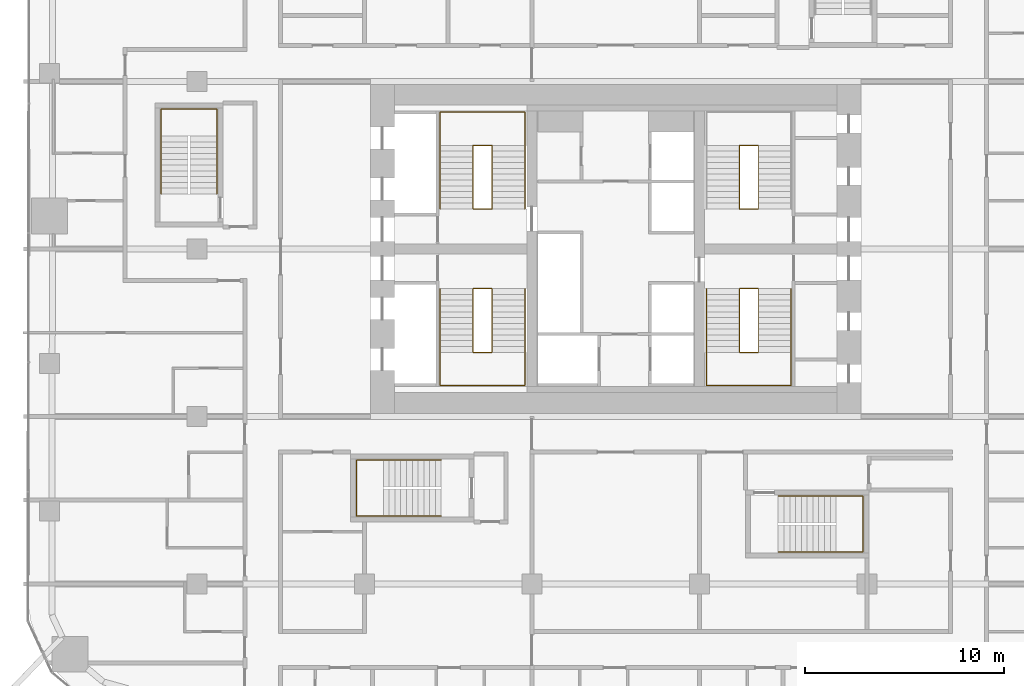
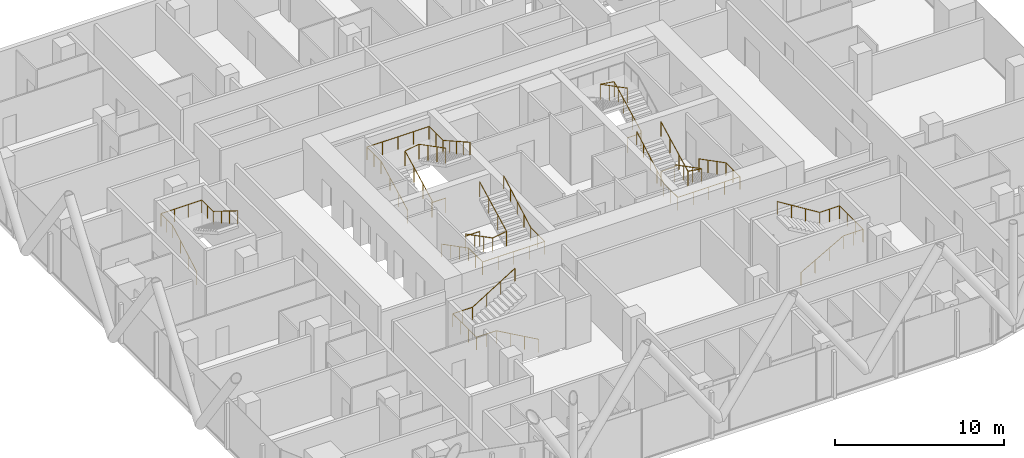
# One storey, part 33 of 34: 10 railings.
"""IFC4 building model written with IfcOpenShell, lengths in metres."""

from ifc_helpers import new_model, si_unit, direction, frame, origin, origin_2d, place, context, subcontext, project, spatial, circle, extrude, material, type_object, element, save


model = new_model("IFC4")

# Units and contexts
model_context = context("Model", 3, precision=1e-05, world=origin(), true_north=direction((0.0, 1.0)))
body_context = subcontext(model_context, "Body", "Model", "MODEL_VIEW")
ifc_project = project(units=[si_unit("LENGTHUNIT", "METRE"), si_unit("AREAUNIT", "SQUARE_METRE"), si_unit("VOLUMEUNIT", "CUBIC_METRE"), si_unit("PLANEANGLEUNIT", "RADIAN"), si_unit("MASSUNIT", "GRAM", prefix="KILO")], contexts=[model_context])

# Site, building, storey
site_placement = place(None, origin())
site = spatial("IfcSite", under=ifc_project, at=site_placement, CompositionType="ELEMENT")
building_placement = place(site_placement, origin())
building = spatial("IfcBuilding", under=site, at=building_placement, Name="Marenta Gate Hotel Tower", CompositionType="ELEMENT")
storey_placement = place(building_placement, frame((0.0, 0.0, 76.10009765625)))
storey = spatial("IfcBuildingStorey", under=building, at=storey_placement, Name="L17", CompositionType="ELEMENT", Elevation=76.10009765625)

# Railings
ifc_material_1 = material(Name="Stainless steel", Category="steel")
railing_type_1 = type_object("IfcRailingType", Name="Core stair handrail 950", PredefinedType="HANDRAIL", material=ifc_material_1)
railing_1_placement = place(storey_placement, frame((-8.800048828125, 6.39990234375, 0.14990234375)))
element("IfcRailing", 1, at=railing_1_placement, inside=storey, type_object=railing_type_1, Name="HR-950 L17-KR-ST1-1", PredefinedType="HANDRAIL", context=body_context, shape_type="SweptSolid", body=[
    extrude(circle(Radius=0.02392578125, at=origin_2d()), frame((0.0, 0.0, 0.92578125), z_axis=(0.0, -0.888225295554, 0.459408123936), x_axis=(1.0, 0.0, 0.0)), (0.0, 0.0, 1.0), 3.59130859375),
    extrude(circle(Radius=0.02392578125, at=origin_2d()), frame((0.0, -3.18994140625, 2.57568359375), z_axis=(0.0, -1.0, 0.0), x_axis=(1.0, 0.0, 0.0)), (0.0, 0.0, 1.0), 1.659912109375),
    extrude(circle(Radius=0.02392578125, at=origin_2d()), frame((0.0, -4.849853515625, 2.57568359375), z_axis=(1.0, 0.0, 0.0), x_axis=(0.0, 1.0, 0.0)), (0.0, 0.0, 1.0), 4.25),
    extrude(circle(Radius=0.02392578125, at=origin_2d()), frame((4.25, -4.849853515625, 2.57568359375), z_axis=(0.0, 1.0, 0.0), x_axis=(-1.0, 0.0, 0.0)), (0.0, 0.0, 1.0), 1.659912109375),
    extrude(circle(Radius=0.02392578125, at=origin_2d()), frame((4.25, -3.18994140625, 2.57568359375), z_axis=(0.0, 0.87090897868, 0.491444351738), x_axis=(-1.0, 0.0, 0.0)), (0.0, 0.0, 1.0), 3.662841796875),
    extrude(circle(Radius=0.02099609375, at=origin_2d()), origin(), (0.0, 0.0, 1.0), 0.90185546875),
    extrude(circle(Radius=0.02099609375, at=origin_2d()), frame((0.0, -1.063232421875, 0.550048828125)), (0.0, 0.0, 1.0), 0.90185546875),
    extrude(circle(Radius=0.02099609375, at=origin_2d()), frame((0.0, -2.126708984375, 1.099853515625)), (0.0, 0.0, 1.0), 0.90185546875),
    extrude(circle(Radius=0.02099609375, at=origin_2d()), frame((0.0, -3.18994140625, 1.64990234375)), (0.0, 0.0, 1.0), 0.90185546875),
    extrude(circle(Radius=0.02099609375, at=origin_2d()), frame((0.0, -4.02001953125, 1.64990234375)), (0.0, 0.0, 1.0), 0.90185546875),
    extrude(circle(Radius=0.02099609375, at=origin_2d()), frame((0.0, -4.849853515625, 1.64990234375)), (0.0, 0.0, 1.0), 0.90185546875),
    extrude(circle(Radius=0.02099609375, at=origin_2d()), frame((1.0625, -4.849853515625, 1.64990234375)), (0.0, 0.0, 1.0), 0.90185546875),
    extrude(circle(Radius=0.02099609375, at=origin_2d()), frame((2.125, -4.849853515625, 1.64990234375)), (0.0, 0.0, 1.0), 0.90185546875),
    extrude(circle(Radius=0.02099609375, at=origin_2d()), frame((3.1875, -4.849853515625, 1.64990234375)), (0.0, 0.0, 1.0), 0.90185546875),
    extrude(circle(Radius=0.02099609375, at=origin_2d()), frame((4.25, -4.849853515625, 1.64990234375)), (0.0, 0.0, 1.0), 0.90185546875),
    extrude(circle(Radius=0.02099609375, at=origin_2d()), frame((4.25, -4.02001953125, 1.64990234375)), (0.0, 0.0, 1.0), 0.90185546875),
    extrude(circle(Radius=0.02099609375, at=origin_2d()), frame((4.25, -3.18994140625, 1.64990234375)), (0.0, 0.0, 1.0), 0.90185546875),
    extrude(circle(Radius=0.02099609375, at=origin_2d()), frame((4.25, -2.392578125, 2.099853515625)), (0.0, 0.0, 1.0), 0.90185546875),
    extrude(circle(Radius=0.02099609375, at=origin_2d()), frame((4.25, -1.594970703125, 2.5498046875)), (0.0, 0.0, 1.0), 0.90185546875),
    extrude(circle(Radius=0.02099609375, at=origin_2d()), frame((4.25, -0.79736328125, 3.0)), (0.0, 0.0, 1.0), 0.90185546875),
    extrude(circle(Radius=0.02099609375, at=origin_2d()), frame((4.25, 0.0, 3.449951171875)), (0.0, 0.0, 1.0), 0.90185546875),
])
railing_2_placement = place(storey_placement, frame((-8.800048828125, 10.39990234375, 0.14990234375)))
element("IfcRailing", 2, at=railing_2_placement, inside=storey, type_object=railing_type_1, Name="HR-950 L17-KR-ST2-1", PredefinedType="HANDRAIL", context=body_context, shape_type="SweptSolid", body=[
    extrude(circle(Radius=0.02392578125, at=origin_2d()), frame((0.0, 0.0, 0.92578125), z_axis=(0.0, 0.888239641807, 0.459380385653), x_axis=(-1.0, 0.0, 0.0)), (0.0, 0.0, 1.0), 3.591552734375),
    extrude(circle(Radius=0.02392578125, at=origin_2d()), frame((0.0, 3.190185546875, 2.57568359375), z_axis=(0.0, 1.0, 0.0), x_axis=(-1.0, 0.0, 0.0)), (0.0, 0.0, 1.0), 1.659912109375),
    extrude(circle(Radius=0.02392578125, at=origin_2d()), frame((0.0, 4.85009765625, 2.57568359375), z_axis=(1.0, 0.0, 0.0), x_axis=(0.0, 1.0, 0.0)), (0.0, 0.0, 1.0), 4.25),
    extrude(circle(Radius=0.02392578125, at=origin_2d()), frame((4.25, 4.85009765625, 2.57568359375), z_axis=(0.0, -1.0, 0.0), x_axis=(1.0, 0.0, 0.0)), (0.0, 0.0, 1.0), 1.659912109375),
    extrude(circle(Radius=0.02392578125, at=origin_2d()), frame((4.25, 3.190185546875, 2.57568359375), z_axis=(0.0, -0.870925075533, 0.491415824742), x_axis=(1.0, 0.0, 0.0)), (0.0, 0.0, 1.0), 3.6630859375),
    extrude(circle(Radius=0.02099609375, at=origin_2d()), origin(), (0.0, 0.0, 1.0), 0.90185546875),
    extrude(circle(Radius=0.02099609375, at=origin_2d()), frame((0.0, 1.0634765625, 0.550048828125)), (0.0, 0.0, 1.0), 0.90185546875),
    extrude(circle(Radius=0.02099609375, at=origin_2d()), frame((0.0, 2.126708984375, 1.099853515625)), (0.0, 0.0, 1.0), 0.90185546875),
    extrude(circle(Radius=0.02099609375, at=origin_2d()), frame((0.0, 3.190185546875, 1.64990234375)), (0.0, 0.0, 1.0), 0.90185546875),
    extrude(circle(Radius=0.02099609375, at=origin_2d()), frame((0.0, 4.02001953125, 1.64990234375)), (0.0, 0.0, 1.0), 0.90185546875),
    extrude(circle(Radius=0.02099609375, at=origin_2d()), frame((0.0, 4.85009765625, 1.64990234375)), (0.0, 0.0, 1.0), 0.90185546875),
    extrude(circle(Radius=0.02099609375, at=origin_2d()), frame((1.0625, 4.85009765625, 1.64990234375)), (0.0, 0.0, 1.0), 0.90185546875),
    extrude(circle(Radius=0.02099609375, at=origin_2d()), frame((2.125, 4.85009765625, 1.64990234375)), (0.0, 0.0, 1.0), 0.90185546875),
    extrude(circle(Radius=0.02099609375, at=origin_2d()), frame((3.1875, 4.85009765625, 1.64990234375)), (0.0, 0.0, 1.0), 0.90185546875),
    extrude(circle(Radius=0.02099609375, at=origin_2d()), frame((4.25, 4.85009765625, 1.64990234375)), (0.0, 0.0, 1.0), 0.90185546875),
    extrude(circle(Radius=0.02099609375, at=origin_2d()), frame((4.25, 4.02001953125, 1.64990234375)), (0.0, 0.0, 1.0), 0.90185546875),
    extrude(circle(Radius=0.02099609375, at=origin_2d()), frame((4.25, 3.190185546875, 1.64990234375)), (0.0, 0.0, 1.0), 0.90185546875),
    extrude(circle(Radius=0.02099609375, at=origin_2d()), frame((4.25, 2.392578125, 2.099853515625)), (0.0, 0.0, 1.0), 0.90185546875),
    extrude(circle(Radius=0.02099609375, at=origin_2d()), frame((4.25, 1.59521484375, 2.5498046875)), (0.0, 0.0, 1.0), 0.90185546875),
    extrude(circle(Radius=0.02099609375, at=origin_2d()), frame((4.25, 0.797607421875, 3.0)), (0.0, 0.0, 1.0), 0.90185546875),
    extrude(circle(Radius=0.02099609375, at=origin_2d()), frame((4.25, 0.0, 3.449951171875)), (0.0, 0.0, 1.0), 0.90185546875),
])
railing_3_placement = place(storey_placement, frame((8.800048828125, 6.39990234375, 0.14990234375)))
element("IfcRailing", 3, at=railing_3_placement, inside=storey, type_object=railing_type_1, Name="HR-950 L17-KR-ST3-1", PredefinedType="HANDRAIL", context=body_context, shape_type="SweptSolid", body=[
    extrude(circle(Radius=0.02392578125, at=origin_2d()), frame((0.0, 0.0, 0.92578125), z_axis=(0.0, -0.888225295554, 0.459408123936), x_axis=(1.0, 0.0, 0.0)), (0.0, 0.0, 1.0), 3.59130859375),
    extrude(circle(Radius=0.02392578125, at=origin_2d()), frame((0.0, -3.18994140625, 2.57568359375), z_axis=(0.0, -1.0, 0.0), x_axis=(1.0, 0.0, 0.0)), (0.0, 0.0, 1.0), 1.659912109375),
    extrude(circle(Radius=0.02392578125, at=origin_2d()), frame((0.0, -4.849853515625, 2.57568359375), z_axis=(-1.0, 0.0, 0.0), x_axis=(0.0, -1.0, 0.0)), (0.0, 0.0, 1.0), 4.25),
    extrude(circle(Radius=0.02392578125, at=origin_2d()), frame((-4.25, -4.849853515625, 2.57568359375), z_axis=(0.0, 1.0, 0.0), x_axis=(-1.0, 0.0, 0.0)), (0.0, 0.0, 1.0), 1.659912109375),
    extrude(circle(Radius=0.02392578125, at=origin_2d()), frame((-4.25, -3.18994140625, 2.57568359375), z_axis=(0.0, 0.87090897868, 0.491444351738), x_axis=(-1.0, 0.0, 0.0)), (0.0, 0.0, 1.0), 3.662841796875),
    extrude(circle(Radius=0.02099609375, at=origin_2d()), origin(), (0.0, 0.0, 1.0), 0.90185546875),
    extrude(circle(Radius=0.02099609375, at=origin_2d()), frame((0.0, -1.063232421875, 0.550048828125)), (0.0, 0.0, 1.0), 0.90185546875),
    extrude(circle(Radius=0.02099609375, at=origin_2d()), frame((0.0, -2.126708984375, 1.099853515625)), (0.0, 0.0, 1.0), 0.90185546875),
    extrude(circle(Radius=0.02099609375, at=origin_2d()), frame((0.0, -3.18994140625, 1.64990234375)), (0.0, 0.0, 1.0), 0.90185546875),
    extrude(circle(Radius=0.02099609375, at=origin_2d()), frame((0.0, -4.02001953125, 1.64990234375)), (0.0, 0.0, 1.0), 0.90185546875),
    extrude(circle(Radius=0.02099609375, at=origin_2d()), frame((0.0, -4.849853515625, 1.64990234375)), (0.0, 0.0, 1.0), 0.90185546875),
    extrude(circle(Radius=0.02099609375, at=origin_2d()), frame((-1.0625, -4.849853515625, 1.64990234375)), (0.0, 0.0, 1.0), 0.90185546875),
    extrude(circle(Radius=0.02099609375, at=origin_2d()), frame((-2.125, -4.849853515625, 1.64990234375)), (0.0, 0.0, 1.0), 0.90185546875),
    extrude(circle(Radius=0.02099609375, at=origin_2d()), frame((-3.1875, -4.849853515625, 1.64990234375)), (0.0, 0.0, 1.0), 0.90185546875),
    extrude(circle(Radius=0.02099609375, at=origin_2d()), frame((-4.25, -4.849853515625, 1.64990234375)), (0.0, 0.0, 1.0), 0.90185546875),
    extrude(circle(Radius=0.02099609375, at=origin_2d()), frame((-4.25, -4.02001953125, 1.64990234375)), (0.0, 0.0, 1.0), 0.90185546875),
    extrude(circle(Radius=0.02099609375, at=origin_2d()), frame((-4.25, -3.18994140625, 1.64990234375)), (0.0, 0.0, 1.0), 0.90185546875),
    extrude(circle(Radius=0.02099609375, at=origin_2d()), frame((-4.25, -2.392578125, 2.099853515625)), (0.0, 0.0, 1.0), 0.90185546875),
    extrude(circle(Radius=0.02099609375, at=origin_2d()), frame((-4.25, -1.594970703125, 2.5498046875)), (0.0, 0.0, 1.0), 0.90185546875),
    extrude(circle(Radius=0.02099609375, at=origin_2d()), frame((-4.25, -0.79736328125, 3.0)), (0.0, 0.0, 1.0), 0.90185546875),
    extrude(circle(Radius=0.02099609375, at=origin_2d()), frame((-4.25, 0.0, 3.449951171875)), (0.0, 0.0, 1.0), 0.90185546875),
])
railing_4_placement = place(storey_placement, frame((8.14990234375, -6.800048828125, 0.16357421875)))
element("IfcRailing", 4, at=railing_4_placement, inside=storey, type_object=railing_type_1, Name="HR-950 L17-RS-Z1-1-KR-1", PredefinedType="HANDRAIL", context=body_context, shape_type="SweptSolid", body=[
    extrude(circle(Radius=0.02392578125, at=origin_2d()), frame((0.0, 0.0, 0.92578125), z_axis=(0.870946286338, 0.0, 0.49137823142), x_axis=(0.0, 1.0, 0.0)), (0.0, 0.0, 1.0), 3.329833984375),
    extrude(circle(Radius=0.02392578125, at=origin_2d()), frame((2.900146484375, 0.0, 2.56201171875), z_axis=(1.0, 0.0, 0.0), x_axis=(0.0, 1.0, 0.0)), (0.0, 0.0, 1.0), 1.349853515625),
    extrude(circle(Radius=0.02392578125, at=origin_2d()), frame((4.25, 0.0, 2.56201171875), z_axis=(0.0, 1.0, 0.0), x_axis=(-1.0, 0.0, 0.0)), (0.0, 0.0, 1.0), 2.800048828125),
    extrude(circle(Radius=0.02392578125, at=origin_2d()), frame((4.25, 2.800048828125, 2.56201171875), z_axis=(-1.0, 0.0, 0.0), x_axis=(0.0, -1.0, 0.0)), (0.0, 0.0, 1.0), 1.349853515625),
    extrude(circle(Radius=0.02392578125, at=origin_2d()), frame((2.900146484375, 2.800048828125, 2.56201171875), z_axis=(-0.849645691689, 0.0, 0.527353959494), x_axis=(0.0, -1.0, 0.0)), (0.0, 0.0, 1.0), 3.413330078125),
    extrude(circle(Radius=0.02099609375, at=origin_2d()), origin(), (0.0, 0.0, 1.0), 0.90185546875),
    extrude(circle(Radius=0.02099609375, at=origin_2d()), frame((0.966796875, 0.0, 0.54541015625)), (0.0, 0.0, 1.0), 0.90185546875),
    extrude(circle(Radius=0.02099609375, at=origin_2d()), frame((1.933349609375, 0.0, 1.0908203125)), (0.0, 0.0, 1.0), 0.90185546875),
    extrude(circle(Radius=0.02099609375, at=origin_2d()), frame((2.900146484375, 0.0, 1.63623046875)), (0.0, 0.0, 1.0), 0.90185546875),
    extrude(circle(Radius=0.02099609375, at=origin_2d()), frame((3.5751953125, 0.0, 1.63623046875)), (0.0, 0.0, 1.0), 0.90185546875),
    extrude(circle(Radius=0.02099609375, at=origin_2d()), frame((4.25, 0.0, 1.63623046875)), (0.0, 0.0, 1.0), 0.90185546875),
    extrude(circle(Radius=0.02099609375, at=origin_2d()), frame((4.25, 0.933349609375, 1.63623046875)), (0.0, 0.0, 1.0), 0.90185546875),
    extrude(circle(Radius=0.02099609375, at=origin_2d()), frame((4.25, 1.86669921875, 1.63623046875)), (0.0, 0.0, 1.0), 0.90185546875),
    extrude(circle(Radius=0.02099609375, at=origin_2d()), frame((4.25, 2.800048828125, 1.63623046875)), (0.0, 0.0, 1.0), 0.90185546875),
    extrude(circle(Radius=0.02099609375, at=origin_2d()), frame((3.5751953125, 2.800048828125, 1.63623046875)), (0.0, 0.0, 1.0), 0.90185546875),
    extrude(circle(Radius=0.02099609375, at=origin_2d()), frame((2.900146484375, 2.800048828125, 1.63623046875)), (0.0, 0.0, 1.0), 0.90185546875),
    extrude(circle(Radius=0.02099609375, at=origin_2d()), frame((1.933349609375, 2.800048828125, 2.236328125)), (0.0, 0.0, 1.0), 0.90185546875),
    extrude(circle(Radius=0.02099609375, at=origin_2d()), frame((0.966796875, 2.800048828125, 2.836181640625)), (0.0, 0.0, 1.0), 0.90185546875),
    extrude(circle(Radius=0.02099609375, at=origin_2d()), frame((0.0, 2.800048828125, 3.436279296875)), (0.0, 0.0, 1.0), 0.90185546875),
])
railing_5_placement = place(storey_placement, frame((-8.75, -5.0, 0.16357421875)))
element("IfcRailing", 5, at=railing_5_placement, inside=storey, type_object=railing_type_1, Name="HR-950 L17-RS-Z1-2-KR-1", PredefinedType="HANDRAIL", context=body_context, shape_type="SweptSolid", body=[
    extrude(circle(Radius=0.02392578125, at=origin_2d()), frame((0.0, 0.0, 0.92578125), z_axis=(-0.870928581787, 0.0, 0.491409610636), x_axis=(0.0, -1.0, 0.0)), (0.0, 0.0, 1.0), 3.32958984375),
    extrude(circle(Radius=0.02392578125, at=origin_2d()), frame((-2.89990234375, 0.0, 2.56201171875), z_axis=(-1.0, 0.0, 0.0), x_axis=(0.0, -1.0, 0.0)), (0.0, 0.0, 1.0), 1.35009765625),
    extrude(circle(Radius=0.02392578125, at=origin_2d()), frame((-4.25, 0.0, 2.56201171875), z_axis=(0.0, 1.0, 0.0), x_axis=(-1.0, 0.0, 0.0)), (0.0, 0.0, 1.0), 2.800048828125),
    extrude(circle(Radius=0.02392578125, at=origin_2d()), frame((-4.25, 2.800048828125, 2.56201171875), z_axis=(1.0, 0.0, 0.0), x_axis=(0.0, 1.0, 0.0)), (0.0, 0.0, 1.0), 1.35009765625),
    extrude(circle(Radius=0.02392578125, at=origin_2d()), frame((-2.89990234375, 2.800048828125, 2.56201171875), z_axis=(0.849625798611, 0.0, 0.527386008853), x_axis=(0.0, 1.0, 0.0)), (0.0, 0.0, 1.0), 3.4130859375),
    extrude(circle(Radius=0.02099609375, at=origin_2d()), origin(), (0.0, 0.0, 1.0), 0.90185546875),
    extrude(circle(Radius=0.02099609375, at=origin_2d()), frame((-0.966552734375, 0.0, 0.54541015625)), (0.0, 0.0, 1.0), 0.90185546875),
    extrude(circle(Radius=0.02099609375, at=origin_2d()), frame((-1.933349609375, 0.0, 1.0908203125)), (0.0, 0.0, 1.0), 0.90185546875),
    extrude(circle(Radius=0.02099609375, at=origin_2d()), frame((-2.89990234375, 0.0, 1.63623046875)), (0.0, 0.0, 1.0), 0.90185546875),
    extrude(circle(Radius=0.02099609375, at=origin_2d()), frame((-3.574951171875, 0.0, 1.63623046875)), (0.0, 0.0, 1.0), 0.90185546875),
    extrude(circle(Radius=0.02099609375, at=origin_2d()), frame((-4.25, 0.0, 1.63623046875)), (0.0, 0.0, 1.0), 0.90185546875),
    extrude(circle(Radius=0.02099609375, at=origin_2d()), frame((-4.25, 0.933349609375, 1.63623046875)), (0.0, 0.0, 1.0), 0.90185546875),
    extrude(circle(Radius=0.02099609375, at=origin_2d()), frame((-4.25, 1.86669921875, 1.63623046875)), (0.0, 0.0, 1.0), 0.90185546875),
    extrude(circle(Radius=0.02099609375, at=origin_2d()), frame((-4.25, 2.800048828125, 1.63623046875)), (0.0, 0.0, 1.0), 0.90185546875),
    extrude(circle(Radius=0.02099609375, at=origin_2d()), frame((-3.574951171875, 2.800048828125, 1.63623046875)), (0.0, 0.0, 1.0), 0.90185546875),
    extrude(circle(Radius=0.02099609375, at=origin_2d()), frame((-2.89990234375, 2.800048828125, 1.63623046875)), (0.0, 0.0, 1.0), 0.90185546875),
    extrude(circle(Radius=0.02099609375, at=origin_2d()), frame((-1.933349609375, 2.800048828125, 2.236328125)), (0.0, 0.0, 1.0), 0.90185546875),
    extrude(circle(Radius=0.02099609375, at=origin_2d()), frame((-0.966552734375, 2.800048828125, 2.836181640625)), (0.0, 0.0, 1.0), 0.90185546875),
    extrude(circle(Radius=0.02099609375, at=origin_2d()), frame((0.0, 2.800048828125, 3.436279296875)), (0.0, 0.0, 1.0), 0.90185546875),
])
railing_6_placement = place(storey_placement, frame((-22.800048828125, 11.14990234375, 0.16357421875)))
element("IfcRailing", 6, at=railing_6_placement, inside=storey, type_object=railing_type_1, Name="HR-950 L17-RS-Z1-3-KR-1", PredefinedType="HANDRAIL", context=body_context, shape_type="SweptSolid", body=[
    extrude(circle(Radius=0.02392578125, at=origin_2d()), frame((0.0, 0.0, 0.92578125), z_axis=(0.0, 0.870946286338, 0.49137823142), x_axis=(-1.0, 0.0, 0.0)), (0.0, 0.0, 1.0), 3.329833984375),
    extrude(circle(Radius=0.02392578125, at=origin_2d()), frame((0.0, 2.900146484375, 2.56201171875), z_axis=(0.0, 1.0, 0.0), x_axis=(-1.0, 0.0, 0.0)), (0.0, 0.0, 1.0), 1.349853515625),
    extrude(circle(Radius=0.02392578125, at=origin_2d()), frame((0.0, 4.25, 2.56201171875), z_axis=(1.0, 0.0, 0.0), x_axis=(0.0, 1.0, 0.0)), (0.0, 0.0, 1.0), 2.800048828125),
    extrude(circle(Radius=0.02392578125, at=origin_2d()), frame((2.800048828125, 4.25, 2.56201171875), z_axis=(0.0, -1.0, 0.0), x_axis=(1.0, 0.0, 0.0)), (0.0, 0.0, 1.0), 1.349853515625),
    extrude(circle(Radius=0.02392578125, at=origin_2d()), frame((2.800048828125, 2.900146484375, 2.56201171875), z_axis=(0.0, -0.849645691689, 0.527353959494), x_axis=(1.0, 0.0, 0.0)), (0.0, 0.0, 1.0), 3.413330078125),
    extrude(circle(Radius=0.02099609375, at=origin_2d()), origin(), (0.0, 0.0, 1.0), 0.90185546875),
    extrude(circle(Radius=0.02099609375, at=origin_2d()), frame((0.0, 0.966796875, 0.54541015625)), (0.0, 0.0, 1.0), 0.90185546875),
    extrude(circle(Radius=0.02099609375, at=origin_2d()), frame((0.0, 1.933349609375, 1.0908203125)), (0.0, 0.0, 1.0), 0.90185546875),
    extrude(circle(Radius=0.02099609375, at=origin_2d()), frame((0.0, 2.900146484375, 1.63623046875)), (0.0, 0.0, 1.0), 0.90185546875),
    extrude(circle(Radius=0.02099609375, at=origin_2d()), frame((0.0, 3.5751953125, 1.63623046875)), (0.0, 0.0, 1.0), 0.90185546875),
    extrude(circle(Radius=0.02099609375, at=origin_2d()), frame((0.0, 4.25, 1.63623046875)), (0.0, 0.0, 1.0), 0.90185546875),
    extrude(circle(Radius=0.02099609375, at=origin_2d()), frame((0.933349609375, 4.25, 1.63623046875)), (0.0, 0.0, 1.0), 0.90185546875),
    extrude(circle(Radius=0.02099609375, at=origin_2d()), frame((1.86669921875, 4.25, 1.63623046875)), (0.0, 0.0, 1.0), 0.90185546875),
    extrude(circle(Radius=0.02099609375, at=origin_2d()), frame((2.800048828125, 4.25, 1.63623046875)), (0.0, 0.0, 1.0), 0.90185546875),
    extrude(circle(Radius=0.02099609375, at=origin_2d()), frame((2.800048828125, 3.5751953125, 1.63623046875)), (0.0, 0.0, 1.0), 0.90185546875),
    extrude(circle(Radius=0.02099609375, at=origin_2d()), frame((2.800048828125, 2.900146484375, 1.63623046875)), (0.0, 0.0, 1.0), 0.90185546875),
    extrude(circle(Radius=0.02099609375, at=origin_2d()), frame((2.800048828125, 1.933349609375, 2.236328125)), (0.0, 0.0, 1.0), 0.90185546875),
    extrude(circle(Radius=0.02099609375, at=origin_2d()), frame((2.800048828125, 0.966796875, 2.836181640625)), (0.0, 0.0, 1.0), 0.90185546875),
    extrude(circle(Radius=0.02099609375, at=origin_2d()), frame((2.800048828125, 0.0, 3.436279296875)), (0.0, 0.0, 1.0), 0.90185546875),
])
ifc_material_2 = material(Name="Stainless steel", Category="steel")
railing_type_2 = type_object("IfcRailingType", Name="Core stair well guard 1100", PredefinedType="GUARDRAIL", material=ifc_material_2)
railing_7_placement = place(storey_placement, frame((-6.199951171875, 6.39990234375, 0.0)))
element("IfcRailing", 7, at=railing_7_placement, inside=storey, type_object=railing_type_2, Name="GR-1100 L17-KR-ST1-2", PredefinedType="GUARDRAIL", context=body_context, shape_type="SweptSolid", body=[
    extrude(circle(Radius=0.02392578125, at=origin_2d()), frame((0.0, 0.0, 1.076171875), z_axis=(-1.0, 0.0, 0.0), x_axis=(0.0, -1.0, 0.0)), (0.0, 0.0, 1.0), 0.949951171875),
    extrude(circle(Radius=0.02392578125, at=origin_2d()), frame((-0.949951171875, 0.0, 1.076171875), z_axis=(0.0, 0.0, 1.0), x_axis=(1.0, 0.0, 0.0)), (0.0, 0.0, 1.0), 0.14990234375),
    extrude(circle(Radius=0.02392578125, at=origin_2d()), frame((-0.949951171875, 0.0, 1.22607421875), z_axis=(0.0, -0.888225295554, 0.459408123936), x_axis=(1.0, 0.0, 0.0)), (0.0, 0.0, 1.0), 3.59130859375),
    extrude(circle(Radius=0.02392578125, at=origin_2d()), frame((-0.949951171875, -3.18994140625, 2.8759765625), z_axis=(0.987738253826, 0.0, 0.156118999255), x_axis=(0.0, 1.0, 0.0)), (0.0, 0.0, 1.0), 0.961669921875),
    extrude(circle(Radius=0.02392578125, at=origin_2d()), frame((0.0, -3.18994140625, 3.02587890625), z_axis=(0.0, 0.888225295554, 0.459408123936), x_axis=(-1.0, 0.0, 0.0)), (0.0, 0.0, 1.0), 3.59130859375),
    extrude(circle(Radius=0.02099609375, at=origin_2d()), origin(), (0.0, 0.0, 1.0), 1.052001953125),
    extrude(circle(Radius=0.02099609375, at=origin_2d()), frame((-0.949951171875, 0.0, 0.0)), (0.0, 0.0, 1.0), 1.052001953125),
    extrude(circle(Radius=0.02099609375, at=origin_2d()), frame((-0.949951171875, 0.0, 0.14990234375)), (0.0, 0.0, 1.0), 1.052001953125),
    extrude(circle(Radius=0.02099609375, at=origin_2d()), frame((-0.949951171875, -1.063232421875, 0.699951171875)), (0.0, 0.0, 1.0), 1.052001953125),
    extrude(circle(Radius=0.02099609375, at=origin_2d()), frame((-0.949951171875, -2.126708984375, 1.249755859375)), (0.0, 0.0, 1.0), 1.052001953125),
    extrude(circle(Radius=0.02099609375, at=origin_2d()), frame((-0.949951171875, -3.18994140625, 1.7998046875)), (0.0, 0.0, 1.0), 1.052001953125),
    extrude(circle(Radius=0.02099609375, at=origin_2d()), frame((0.0, -3.18994140625, 1.949951171875)), (0.0, 0.0, 1.0), 1.052001953125),
    extrude(circle(Radius=0.02099609375, at=origin_2d()), frame((0.0, -2.126708984375, 2.5)), (0.0, 0.0, 1.0), 1.052001953125),
    extrude(circle(Radius=0.02099609375, at=origin_2d()), frame((0.0, -1.063232421875, 3.0498046875)), (0.0, 0.0, 1.0), 1.052001953125),
    extrude(circle(Radius=0.02099609375, at=origin_2d()), frame((0.0, 0.0, 3.599853515625)), (0.0, 0.0, 1.0), 1.052001953125),
])
railing_8_placement = place(storey_placement, frame((-6.199951171875, 10.39990234375, 0.0)))
element("IfcRailing", 8, at=railing_8_placement, inside=storey, type_object=railing_type_2, Name="GR-1100 L17-KR-ST2-2", PredefinedType="GUARDRAIL", context=body_context, shape_type="SweptSolid", body=[
    extrude(circle(Radius=0.02392578125, at=origin_2d()), frame((0.0, 0.0, 1.076171875), z_axis=(-1.0, 0.0, 0.0), x_axis=(0.0, -1.0, 0.0)), (0.0, 0.0, 1.0), 0.949951171875),
    extrude(circle(Radius=0.02392578125, at=origin_2d()), frame((-0.949951171875, 0.0, 1.076171875), z_axis=(0.0, 0.0, 1.0), x_axis=(1.0, 0.0, 0.0)), (0.0, 0.0, 1.0), 0.14990234375),
    extrude(circle(Radius=0.02392578125, at=origin_2d()), frame((-0.949951171875, 0.0, 1.22607421875), z_axis=(0.0, 0.888239641807, 0.459380385653), x_axis=(-1.0, 0.0, 0.0)), (0.0, 0.0, 1.0), 3.591552734375),
    extrude(circle(Radius=0.02392578125, at=origin_2d()), frame((-0.949951171875, 3.190185546875, 2.8759765625), z_axis=(0.987738253826, 0.0, 0.156118999255), x_axis=(0.0, 1.0, 0.0)), (0.0, 0.0, 1.0), 0.961669921875),
    extrude(circle(Radius=0.02392578125, at=origin_2d()), frame((0.0, 3.190185546875, 3.02587890625), z_axis=(0.0, -0.888239641807, 0.459380385653), x_axis=(1.0, 0.0, 0.0)), (0.0, 0.0, 1.0), 3.591552734375),
    extrude(circle(Radius=0.02099609375, at=origin_2d()), origin(), (0.0, 0.0, 1.0), 1.052001953125),
    extrude(circle(Radius=0.02099609375, at=origin_2d()), frame((-0.949951171875, 0.0, 0.0)), (0.0, 0.0, 1.0), 1.052001953125),
    extrude(circle(Radius=0.02099609375, at=origin_2d()), frame((-0.949951171875, 0.0, 0.14990234375)), (0.0, 0.0, 1.0), 1.052001953125),
    extrude(circle(Radius=0.02099609375, at=origin_2d()), frame((-0.949951171875, 1.0634765625, 0.699951171875)), (0.0, 0.0, 1.0), 1.052001953125),
    extrude(circle(Radius=0.02099609375, at=origin_2d()), frame((-0.949951171875, 2.126708984375, 1.249755859375)), (0.0, 0.0, 1.0), 1.052001953125),
    extrude(circle(Radius=0.02099609375, at=origin_2d()), frame((-0.949951171875, 3.190185546875, 1.7998046875)), (0.0, 0.0, 1.0), 1.052001953125),
    extrude(circle(Radius=0.02099609375, at=origin_2d()), frame((0.0, 3.190185546875, 1.949951171875)), (0.0, 0.0, 1.0), 1.052001953125),
    extrude(circle(Radius=0.02099609375, at=origin_2d()), frame((0.0, 2.126708984375, 2.5)), (0.0, 0.0, 1.0), 1.052001953125),
    extrude(circle(Radius=0.02099609375, at=origin_2d()), frame((0.0, 1.0634765625, 3.0498046875)), (0.0, 0.0, 1.0), 1.052001953125),
    extrude(circle(Radius=0.02099609375, at=origin_2d()), frame((0.0, 0.0, 3.599853515625)), (0.0, 0.0, 1.0), 1.052001953125),
])
railing_9_placement = place(storey_placement, frame((6.199951171875, 6.39990234375, 0.0)))
element("IfcRailing", 9, at=railing_9_placement, inside=storey, type_object=railing_type_2, Name="GR-1100 L17-KR-ST3-2", PredefinedType="GUARDRAIL", context=body_context, shape_type="SweptSolid", body=[
    extrude(circle(Radius=0.02392578125, at=origin_2d()), frame((0.0, 0.0, 1.076171875), z_axis=(1.0, 0.0, 0.0), x_axis=(0.0, 1.0, 0.0)), (0.0, 0.0, 1.0), 0.949951171875),
    extrude(circle(Radius=0.02392578125, at=origin_2d()), frame((0.949951171875, 0.0, 1.076171875), z_axis=(0.0, 0.0, 1.0), x_axis=(1.0, 0.0, 0.0)), (0.0, 0.0, 1.0), 0.14990234375),
    extrude(circle(Radius=0.02392578125, at=origin_2d()), frame((0.949951171875, 0.0, 1.22607421875), z_axis=(0.0, -0.888225295554, 0.459408123936), x_axis=(1.0, 0.0, 0.0)), (0.0, 0.0, 1.0), 3.59130859375),
    extrude(circle(Radius=0.02392578125, at=origin_2d()), frame((0.949951171875, -3.18994140625, 2.8759765625), z_axis=(-0.987738253826, 0.0, 0.156118999255), x_axis=(0.0, -1.0, 0.0)), (0.0, 0.0, 1.0), 0.961669921875),
    extrude(circle(Radius=0.02392578125, at=origin_2d()), frame((0.0, -3.18994140625, 3.02587890625), z_axis=(0.0, 0.888225295554, 0.459408123936), x_axis=(-1.0, 0.0, 0.0)), (0.0, 0.0, 1.0), 3.59130859375),
    extrude(circle(Radius=0.02099609375, at=origin_2d()), origin(), (0.0, 0.0, 1.0), 1.052001953125),
    extrude(circle(Radius=0.02099609375, at=origin_2d()), frame((0.949951171875, 0.0, 0.0)), (0.0, 0.0, 1.0), 1.052001953125),
    extrude(circle(Radius=0.02099609375, at=origin_2d()), frame((0.949951171875, 0.0, 0.14990234375)), (0.0, 0.0, 1.0), 1.052001953125),
    extrude(circle(Radius=0.02099609375, at=origin_2d()), frame((0.949951171875, -1.063232421875, 0.699951171875)), (0.0, 0.0, 1.0), 1.052001953125),
    extrude(circle(Radius=0.02099609375, at=origin_2d()), frame((0.949951171875, -2.126708984375, 1.249755859375)), (0.0, 0.0, 1.0), 1.052001953125),
    extrude(circle(Radius=0.02099609375, at=origin_2d()), frame((0.949951171875, -3.18994140625, 1.7998046875)), (0.0, 0.0, 1.0), 1.052001953125),
    extrude(circle(Radius=0.02099609375, at=origin_2d()), frame((0.0, -3.18994140625, 1.949951171875)), (0.0, 0.0, 1.0), 1.052001953125),
    extrude(circle(Radius=0.02099609375, at=origin_2d()), frame((0.0, -2.126708984375, 2.5)), (0.0, 0.0, 1.0), 1.052001953125),
    extrude(circle(Radius=0.02099609375, at=origin_2d()), frame((0.0, -1.063232421875, 3.0498046875)), (0.0, 0.0, 1.0), 1.052001953125),
    extrude(circle(Radius=0.02099609375, at=origin_2d()), frame((0.0, 0.0, 3.599853515625)), (0.0, 0.0, 1.0), 1.052001953125),
])
railing_10_placement = place(storey_placement, frame((6.199951171875, 10.39990234375, 0.0)))
element("IfcRailing", 10, at=railing_10_placement, inside=storey, type_object=railing_type_2, Name="GR-1100 L17-KR-ST4-2", PredefinedType="GUARDRAIL", context=body_context, shape_type="SweptSolid", body=[
    extrude(circle(Radius=0.02392578125, at=origin_2d()), frame((0.0, 0.0, 1.076171875), z_axis=(1.0, 0.0, 0.0), x_axis=(0.0, 1.0, 0.0)), (0.0, 0.0, 1.0), 0.949951171875),
    extrude(circle(Radius=0.02392578125, at=origin_2d()), frame((0.949951171875, 0.0, 1.076171875), z_axis=(0.0, 0.0, 1.0), x_axis=(1.0, 0.0, 0.0)), (0.0, 0.0, 1.0), 0.14990234375),
    extrude(circle(Radius=0.02392578125, at=origin_2d()), frame((0.949951171875, 0.0, 1.22607421875), z_axis=(0.0, 0.888239641807, 0.459380385653), x_axis=(-1.0, 0.0, 0.0)), (0.0, 0.0, 1.0), 3.591552734375),
    extrude(circle(Radius=0.02392578125, at=origin_2d()), frame((0.949951171875, 3.190185546875, 2.8759765625), z_axis=(-0.987738253826, 0.0, 0.156118999255), x_axis=(0.0, -1.0, 0.0)), (0.0, 0.0, 1.0), 0.961669921875),
    extrude(circle(Radius=0.02392578125, at=origin_2d()), frame((0.0, 3.190185546875, 3.02587890625), z_axis=(0.0, -0.888239641807, 0.459380385653), x_axis=(1.0, 0.0, 0.0)), (0.0, 0.0, 1.0), 3.591552734375),
    extrude(circle(Radius=0.02099609375, at=origin_2d()), origin(), (0.0, 0.0, 1.0), 1.052001953125),
    extrude(circle(Radius=0.02099609375, at=origin_2d()), frame((0.949951171875, 0.0, 0.0)), (0.0, 0.0, 1.0), 1.052001953125),
    extrude(circle(Radius=0.02099609375, at=origin_2d()), frame((0.949951171875, 0.0, 0.14990234375)), (0.0, 0.0, 1.0), 1.052001953125),
    extrude(circle(Radius=0.02099609375, at=origin_2d()), frame((0.949951171875, 1.0634765625, 0.699951171875)), (0.0, 0.0, 1.0), 1.052001953125),
    extrude(circle(Radius=0.02099609375, at=origin_2d()), frame((0.949951171875, 2.126708984375, 1.249755859375)), (0.0, 0.0, 1.0), 1.052001953125),
    extrude(circle(Radius=0.02099609375, at=origin_2d()), frame((0.949951171875, 3.190185546875, 1.7998046875)), (0.0, 0.0, 1.0), 1.052001953125),
    extrude(circle(Radius=0.02099609375, at=origin_2d()), frame((0.0, 3.190185546875, 1.949951171875)), (0.0, 0.0, 1.0), 1.052001953125),
    extrude(circle(Radius=0.02099609375, at=origin_2d()), frame((0.0, 2.126708984375, 2.5)), (0.0, 0.0, 1.0), 1.052001953125),
    extrude(circle(Radius=0.02099609375, at=origin_2d()), frame((0.0, 1.0634765625, 3.0498046875)), (0.0, 0.0, 1.0), 1.052001953125),
    extrude(circle(Radius=0.02099609375, at=origin_2d()), frame((0.0, 0.0, 3.599853515625)), (0.0, 0.0, 1.0), 1.052001953125),
])

save(model, "model.ifc")
